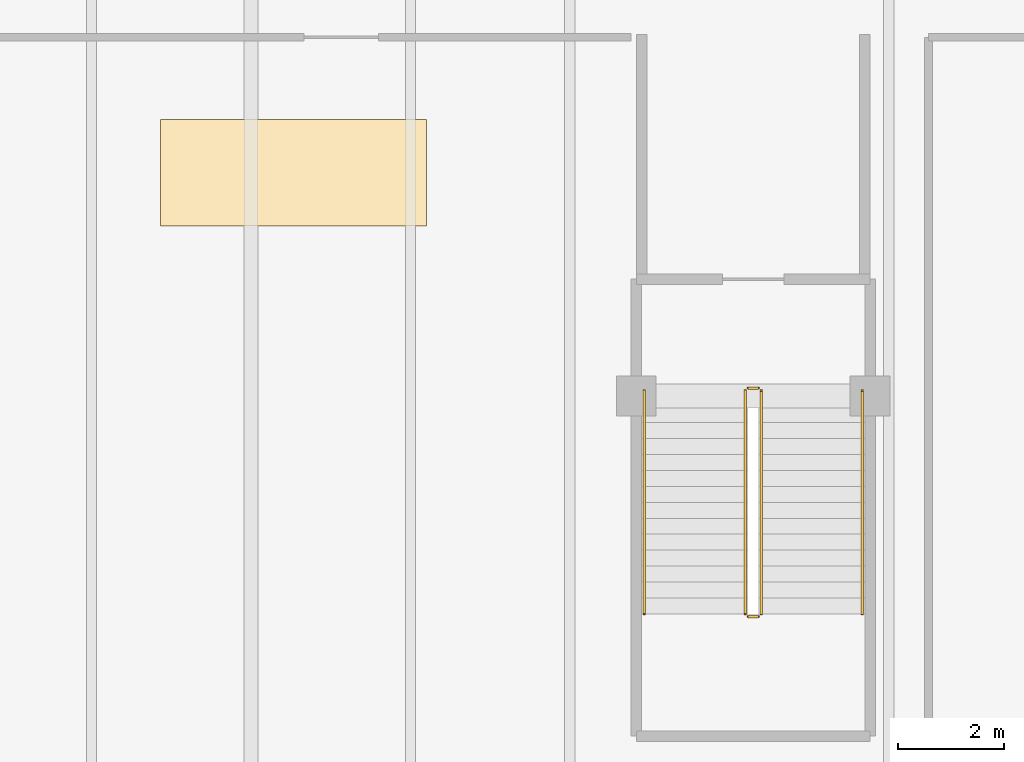
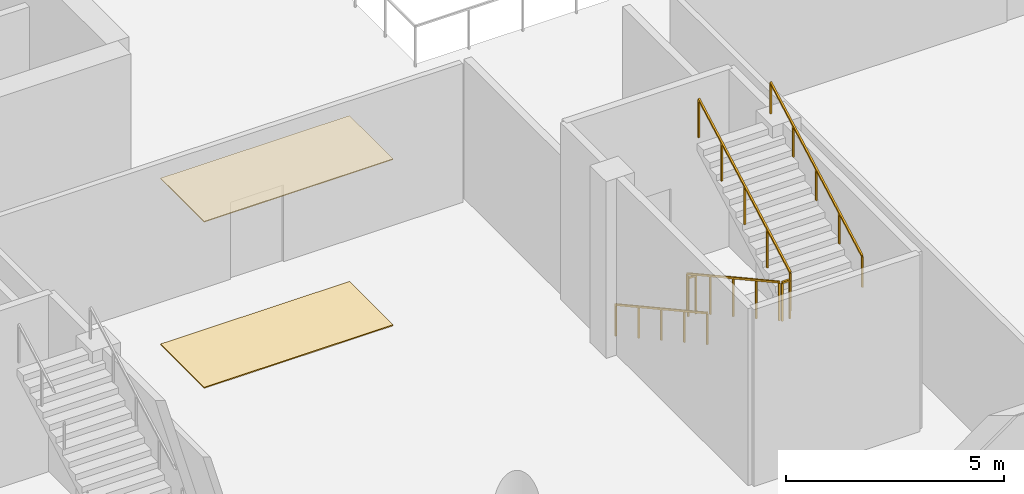
# One storey, part 20 of 27: 6 railings, 2 coverings.
"""IFC4 building model written with IfcOpenShell, lengths in metres."""

from ifc_helpers import new_model, si_unit, direction, frame, origin, origin_2d, place, context, subcontext, project, spatial, rectangle, extrude, material, layer, layer_set, type_object, element, save


model = new_model("IFC4")

# Units and contexts
model_context = context("Model", 3, precision=1e-05, world=origin(), true_north=direction((0.0, 1.0)))
body_context = subcontext(model_context, "Body", "Model", "MODEL_VIEW")
ifc_project = project(units=[si_unit("LENGTHUNIT", "METRE"), si_unit("AREAUNIT", "SQUARE_METRE"), si_unit("VOLUMEUNIT", "CUBIC_METRE"), si_unit("PLANEANGLEUNIT", "RADIAN"), si_unit("MASSUNIT", "GRAM", prefix="KILO")], contexts=[model_context])

# Site, building, storey
site_placement = place(None, origin())
site = spatial("IfcSite", under=ifc_project, at=site_placement, CompositionType="ELEMENT")
building_placement = place(site_placement, origin())
building = spatial("IfcBuilding", under=site, at=building_placement, Name="Tanjung Sevakor Pilgrim Tower", CompositionType="ELEMENT")
storey_placement = place(building_placement, frame((0.0, 0.0, 9.89990234375)))
storey = spatial("IfcBuildingStorey", under=building, at=storey_placement, Name="L03", CompositionType="ELEMENT", Elevation=9.89990234375)

# Coverings
ifc_material_1 = material(Name="Acoustic Gypsum Board Ceiling", Category="gypsum board")
ifc_layer_1 = layer(ifc_material_1, 0.02490234375)
ifc_layer_set_1 = layer_set([ifc_layer_1], Name="COV-CEIL-ACOUSTIC")
covering_type_1 = type_object("IfcCoveringType", Name="COV-CEIL-ACOUSTIC", PredefinedType="CEILING", material=ifc_layer_set_1)
covering_1_placement = place(storey_placement, frame((36.800048828125, 19.0, 4.645751953125), z_axis=(0.0, 0.0, 1.0), x_axis=(1.0, 0.0, 0.0)))
element("IfcCovering", 1, at=covering_1_placement, inside=storey, type_object=covering_type_1, Name="L03 Acoustic Suspended Ceiling", PredefinedType="CEILING", context=body_context, shape_type="SweptSolid", body=[
    extrude(rectangle(XDim=5.0, YDim=2.0, at=origin_2d()), origin(), (0.0, 0.0, 1.0), 0.02490234375),
])
ifc_material_2 = material(Name="Honed Limestone Terrazzo Flooring", Category="masonry")
ifc_layer_2 = layer(ifc_material_2, 0.030029296875)
ifc_layer_set_2 = layer_set([ifc_layer_2], Name="COV-FLOOR-TERRAZZO")
covering_type_2 = type_object("IfcCoveringType", Name="COV-FLOOR-TERRAZZO", PredefinedType="FLOORING", material=ifc_layer_set_2)
covering_2_placement = place(storey_placement, frame((36.800048828125, 19.0, 0.0), z_axis=(0.0, 0.0, 1.0), x_axis=(1.0, 0.0, 0.0)))
element("IfcCovering", 2, at=covering_2_placement, inside=storey, type_object=covering_type_2, Name="L03 Terrazzo Lobby Flooring", PredefinedType="FLOORING", context=body_context, shape_type="SweptSolid", body=[
    extrude(rectangle(XDim=5.0, YDim=2.0, at=origin_2d()), origin(), (0.0, 0.0, 1.0), 0.030029296875),
])

# Railings
ifc_material_3 = material(Name="Steel S355J2", Category="steel")
railing_type_1 = type_object("IfcRailingType", Name="RL-STAIR-GUARD", PredefinedType="GUARDRAIL", material=ifc_material_3)
railing_1_placement = place(storey_placement, frame((45.300048828125, 14.89990234375, 0.1650390625)))
element("IfcRailing", 3, at=railing_1_placement, inside=storey, type_object=railing_type_1, Name="L03 PS-3 stair guard 1", PredefinedType="GUARDRAIL", context=body_context, shape_type="SweptSolid", body=[
    extrude(rectangle(XDim=0.0479, YDim=0.0479), frame((0.0, 0.0, 1.076171875), z_axis=(0.0, -0.876208380975, 0.481932436249), x_axis=(1.0, 0.0, 0.0)), (0.0, 0.0, 1.0), 4.793212890625),
    extrude(rectangle(XDim=0.042, YDim=0.042), origin(), (0.0, 0.0, 1.0), 1.052001953125),
    extrude(rectangle(XDim=0.042, YDim=0.042), frame((0.0, -1.050048828125, 0.57763671875)), (0.0, 0.0, 1.0), 1.052001953125),
    extrude(rectangle(XDim=0.042, YDim=0.042), frame((0.0, -2.10009765625, 1.155029296875)), (0.0, 0.0, 1.0), 1.052001953125),
    extrude(rectangle(XDim=0.042, YDim=0.042), frame((0.0, -3.14990234375, 1.732421875)), (0.0, 0.0, 1.0), 1.052001953125),
    extrude(rectangle(XDim=0.042, YDim=0.042), frame((0.0, -4.199951171875, 2.31005859375)), (0.0, 0.0, 1.0), 1.052001953125),
])
railing_2_placement = place(storey_placement, frame((45.35009765625, 10.64990234375, 2.47509765625)))
element("IfcRailing", 4, at=railing_2_placement, inside=storey, type_object=railing_type_1, Name="L03 PS-3 stair guard 2", PredefinedType="GUARDRAIL", context=body_context, shape_type="SweptSolid", body=[
    extrude(rectangle(XDim=0.0479, YDim=0.0479), frame((0.0, 0.0, 1.076171875), z_axis=(1.0, 0.0, 0.0), x_axis=(0.0, 1.0, 0.0)), (0.0, 0.0, 1.0), 0.199951171875),
    extrude(rectangle(XDim=0.042, YDim=0.042), origin(), (0.0, 0.0, 1.0), 1.052001953125),
    extrude(rectangle(XDim=0.042, YDim=0.042), frame((0.199951171875, 0.0, 0.0)), (0.0, 0.0, 1.0), 1.052001953125),
])
railing_3_placement = place(storey_placement, frame((45.60009765625, 10.699951171875, 2.64013671875)))
element("IfcRailing", 5, at=railing_3_placement, inside=storey, type_object=railing_type_1, Name="L03 PS-3 stair guard 3", PredefinedType="GUARDRAIL", context=body_context, shape_type="SweptSolid", body=[
    extrude(rectangle(XDim=0.0479, YDim=0.0479), frame((0.0, 0.0, 1.076171875), z_axis=(0.0, 0.876208380975, 0.481932436249), x_axis=(-1.0, 0.0, 0.0)), (0.0, 0.0, 1.0), 4.793212890625),
    extrude(rectangle(XDim=0.042, YDim=0.042), origin(), (0.0, 0.0, 1.0), 1.052001953125),
    extrude(rectangle(XDim=0.042, YDim=0.042), frame((0.0, 1.050048828125, 0.57763671875)), (0.0, 0.0, 1.0), 1.052001953125),
    extrude(rectangle(XDim=0.042, YDim=0.042), frame((0.0, 2.10009765625, 1.155029296875)), (0.0, 0.0, 1.0), 1.052001953125),
    extrude(rectangle(XDim=0.042, YDim=0.042), frame((0.0, 3.14990234375, 1.732421875)), (0.0, 0.0, 1.0), 1.052001953125),
    extrude(rectangle(XDim=0.042, YDim=0.042), frame((0.0, 4.199951171875, 2.31005859375)), (0.0, 0.0, 1.0), 1.052001953125),
])
railing_4_placement = place(storey_placement, frame((45.35009765625, 14.949951171875, 0.0)))
element("IfcRailing", 6, at=railing_4_placement, inside=storey, type_object=railing_type_1, Name="L03 PS-3 stair guard 4", PredefinedType="GUARDRAIL", context=body_context, shape_type="SweptSolid", body=[
    extrude(rectangle(XDim=0.0479, YDim=0.0479), frame((0.0, 0.0, 1.076171875), z_axis=(1.0, 0.0, 0.0), x_axis=(0.0, 1.0, 0.0)), (0.0, 0.0, 1.0), 0.199951171875),
    extrude(rectangle(XDim=0.042, YDim=0.042), origin(), (0.0, 0.0, 1.0), 1.052001953125),
    extrude(rectangle(XDim=0.042, YDim=0.042), frame((0.199951171875, 0.0, 0.0)), (0.0, 0.0, 1.0), 1.052001953125),
])
ifc_material_4 = material(Name="Steel S355J2", Category="steel")
railing_type_2 = type_object("IfcRailingType", Name="RL-STAIR-HAND", PredefinedType="HANDRAIL", material=ifc_material_4)
railing_5_placement = place(storey_placement, frame((43.39990234375, 14.89990234375, 0.1650390625)))
element("IfcRailing", 7, at=railing_5_placement, inside=storey, type_object=railing_type_2, Name="L03 PS-3 stair handrail 1", PredefinedType="HANDRAIL", context=body_context, shape_type="SweptSolid", body=[
    extrude(rectangle(XDim=0.0479, YDim=0.0479), frame((0.0, 0.0, 0.8759765625), z_axis=(0.0, -0.876208380975, 0.481932436249), x_axis=(1.0, 0.0, 0.0)), (0.0, 0.0, 1.0), 4.793212890625),
    extrude(rectangle(XDim=0.042, YDim=0.042), origin(), (0.0, 0.0, 1.0), 0.851806640625),
    extrude(rectangle(XDim=0.042, YDim=0.042), frame((0.0, -1.050048828125, 0.57763671875)), (0.0, 0.0, 1.0), 0.851806640625),
    extrude(rectangle(XDim=0.042, YDim=0.042), frame((0.0, -2.10009765625, 1.155029296875)), (0.0, 0.0, 1.0), 0.851806640625),
    extrude(rectangle(XDim=0.042, YDim=0.042), frame((0.0, -3.14990234375, 1.732421875)), (0.0, 0.0, 1.0), 0.851806640625),
    extrude(rectangle(XDim=0.042, YDim=0.042), frame((0.0, -4.199951171875, 2.31005859375)), (0.0, 0.0, 1.0), 0.851806640625),
])
railing_6_placement = place(storey_placement, frame((47.5, 10.699951171875, 2.64013671875)))
element("IfcRailing", 8, at=railing_6_placement, inside=storey, type_object=railing_type_2, Name="L03 PS-3 stair handrail 2", PredefinedType="HANDRAIL", context=body_context, shape_type="SweptSolid", body=[
    extrude(rectangle(XDim=0.0479, YDim=0.0479), frame((0.0, 0.0, 0.8759765625), z_axis=(0.0, 0.876208380975, 0.481932436249), x_axis=(-1.0, 0.0, 0.0)), (0.0, 0.0, 1.0), 4.793212890625),
    extrude(rectangle(XDim=0.042, YDim=0.042), origin(), (0.0, 0.0, 1.0), 0.851806640625),
    extrude(rectangle(XDim=0.042, YDim=0.042), frame((0.0, 1.050048828125, 0.57763671875)), (0.0, 0.0, 1.0), 0.851806640625),
    extrude(rectangle(XDim=0.042, YDim=0.042), frame((0.0, 2.10009765625, 1.155029296875)), (0.0, 0.0, 1.0), 0.851806640625),
    extrude(rectangle(XDim=0.042, YDim=0.042), frame((0.0, 3.14990234375, 1.732421875)), (0.0, 0.0, 1.0), 0.851806640625),
    extrude(rectangle(XDim=0.042, YDim=0.042), frame((0.0, 4.199951171875, 2.31005859375)), (0.0, 0.0, 1.0), 0.851806640625),
])

save(model, "model.ifc")
